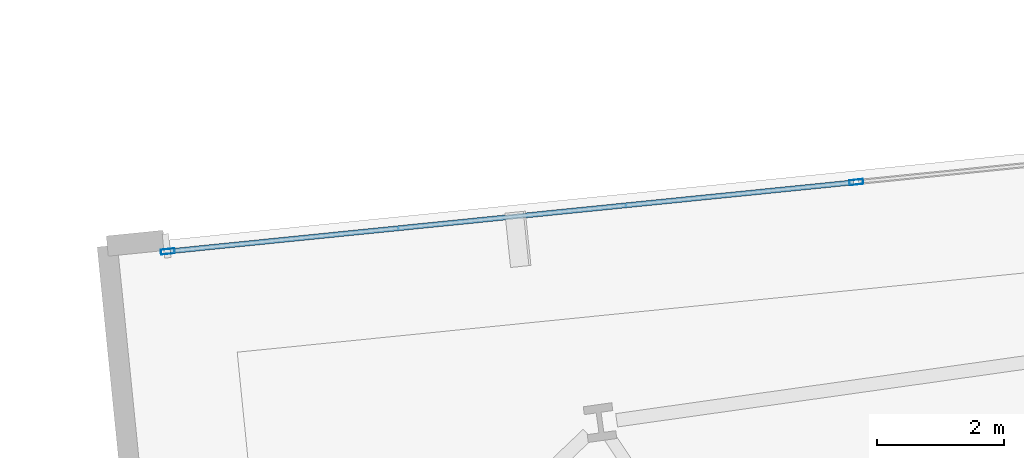
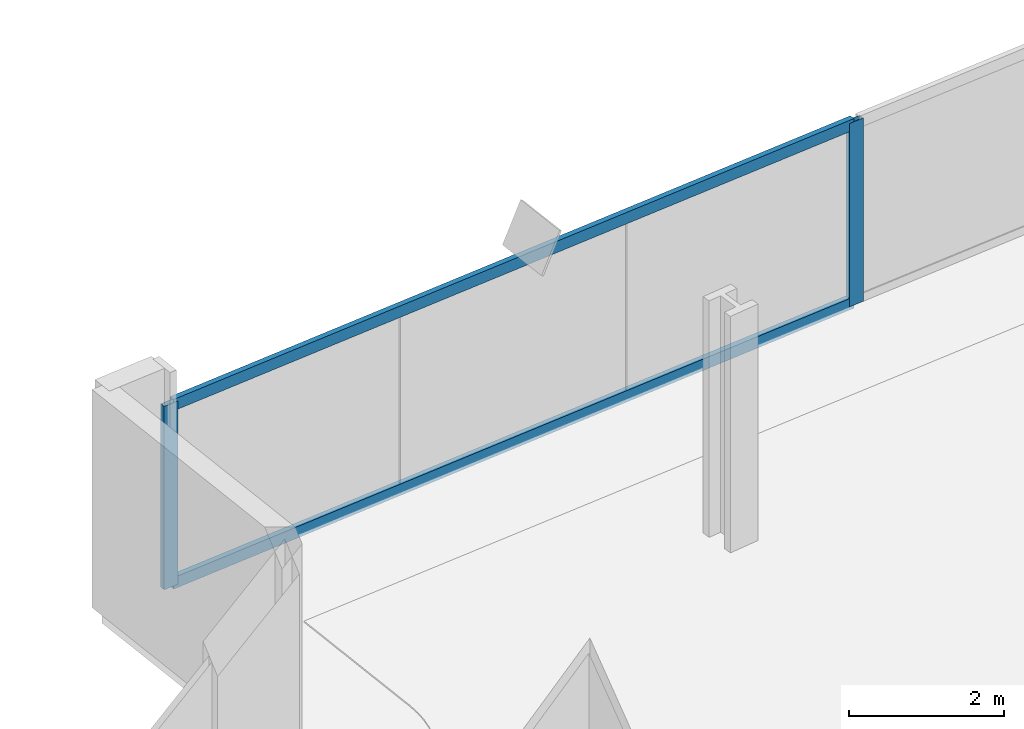
# One storey, part 18 of 33: 4 members, 1 element without a shape of its own.
"""IFC4 building model written with IfcOpenShell, lengths in metres."""

from ifc_helpers import new_model, si_unit, direction, frame, origin, origin_2d, place, context, subcontext, project, spatial, hollow_rectangle, extrude, material, material_profile, profile_set, type_object, element, aggregate, save


model = new_model("IFC4")

# Units and contexts
model_context = context("Model", 3, precision=1e-05, world=origin(), true_north=direction((0.0, 1.0)))
body_context = subcontext(model_context, "Body", "Model", "MODEL_VIEW")
ifc_project = project(units=[si_unit("LENGTHUNIT", "METRE"), si_unit("AREAUNIT", "SQUARE_METRE"), si_unit("VOLUMEUNIT", "CUBIC_METRE"), si_unit("PLANEANGLEUNIT", "RADIAN"), si_unit("MASSUNIT", "GRAM", prefix="KILO")], contexts=[model_context])

# Site, building, storey
site_placement = place(None, origin())
site = spatial("IfcSite", under=ifc_project, at=site_placement, CompositionType="ELEMENT")
building_placement = place(site_placement, origin())
building = spatial("IfcBuilding", under=site, at=building_placement, Name="Haldenkirk Collegiate Tower", CompositionType="ELEMENT")
storey_placement = place(building_placement, frame((0.0, 0.0, 47.699951171875)))
storey = spatial("IfcBuildingStorey", under=building, at=storey_placement, Name="L10", CompositionType="ELEMENT", Elevation=47.699951171875)

# Curtain wall, members
ifc_material = material(Name="Anodised architectural bronze aluminium", Category="aluminium")
curtain_wall_type = type_object("IfcCurtainWallType", Name="CW-SYS1-CONVEX-LOW", PredefinedType="USERDEFINED", material=ifc_material)
curtain_wall_placement = place(storey_placement, origin())
curtain_wall = element("IfcCurtainWall", 1, at=curtain_wall_placement, inside=storey, type_object=curtain_wall_type, Name="L10 Lower tower convex bronze-framed unitised curtain wall", ObjectType="UNITISED CURTAIN WALL", PredefinedType="USERDEFINED")
ifc_material_profile_1 = material_profile(ifc_material, hollow_rectangle(XDim=0.080078125, YDim=0.219970703125, WallThickness=0.0048828125, at=origin_2d()), Name="CW-MUL-1A")
ifc_profile_set_1 = profile_set([ifc_material_profile_1], Name="Anodised architectural bronze aluminium")
member_type_1 = type_object("IfcMemberType", Name="CW-MUL-1A", PredefinedType="MULLION", material=ifc_profile_set_1)
member_1_placement = place(storey_placement, frame((11.6630859375, 49.5, 0.0), z_axis=(0.0, 0.0, 1.0), x_axis=(-0.100187271136, 0.994968597847, 0.0)))
member_1 = element("IfcMember", 2, at=member_1_placement, type_object=member_type_1, Name="CW-1A mullion 1", PredefinedType="MULLION", context=body_context, shape_type="SweptSolid", body=[
    extrude(hollow_rectangle(XDim=0.080078125, YDim=0.219970703125, WallThickness=0.0048828125, at=origin_2d()), origin(), (0.0, 0.0, 1.0), 2.89111328125),
])
member_2_placement = place(storey_placement, frame((22.518310546875, 50.593017578125, 0.0), z_axis=(0.0, 0.0, 1.0), x_axis=(-0.100187271136, 0.994968597847, 0.0)))
member_2 = element("IfcMember", 3, at=member_2_placement, type_object=member_type_1, Name="CW-1A mullion 2", PredefinedType="MULLION", context=body_context, shape_type="SweptSolid", body=[
    extrude(hollow_rectangle(XDim=0.080078125, YDim=0.219970703125, WallThickness=0.0048828125, at=origin_2d()), origin(), (0.0, 0.0, 1.0), 2.89111328125),
])
ifc_material_profile_2 = material_profile(ifc_material, hollow_rectangle(XDim=0.080078125, YDim=0.179931640625, WallThickness=0.0048828125, at=origin_2d()), Name="CW-TRN-1A")
ifc_profile_set_2 = profile_set([ifc_material_profile_2], Name="Anodised architectural bronze aluminium")
member_type_2 = type_object("IfcMemberType", Name="CW-TRN-1A", PredefinedType="USERDEFINED", material=ifc_profile_set_2)
member_3_placement = place(storey_placement, frame((11.702880859375, 49.50390625, 0.0400390625), z_axis=(0.994967084926, 0.100202294956, 0.0), x_axis=(-0.100202294956, 0.994967084926, 0.0)))
member_3 = element("IfcMember", 4, at=member_3_placement, type_object=member_type_2, Name="CW-1A transom 1.1", ObjectType="TRANSOM", PredefinedType="USERDEFINED", context=body_context, shape_type="SweptSolid", body=[
    extrude(hollow_rectangle(XDim=0.080078125, YDim=0.179931640625, WallThickness=0.0048828125, at=origin_2d()), origin(), (0.0, 0.0, 1.0), 10.830078125),
])
member_4_placement = place(storey_placement, frame((11.702880859375, 49.50390625, 2.85107421875), z_axis=(0.994967084926, 0.100202294956, 0.0), x_axis=(-0.100202294956, 0.994967084926, 0.0)))
member_4 = element("IfcMember", 5, at=member_4_placement, type_object=member_type_2, Name="CW-1A transom 1.2", ObjectType="TRANSOM", PredefinedType="USERDEFINED", context=body_context, shape_type="SweptSolid", body=[
    extrude(hollow_rectangle(XDim=0.080078125, YDim=0.179931640625, WallThickness=0.0048828125, at=origin_2d()), origin(), (0.0, 0.0, 1.0), 10.830078125),
])
aggregate(curtain_wall, [member_1, member_2, member_3, member_4])

save(model, "model.ifc")
